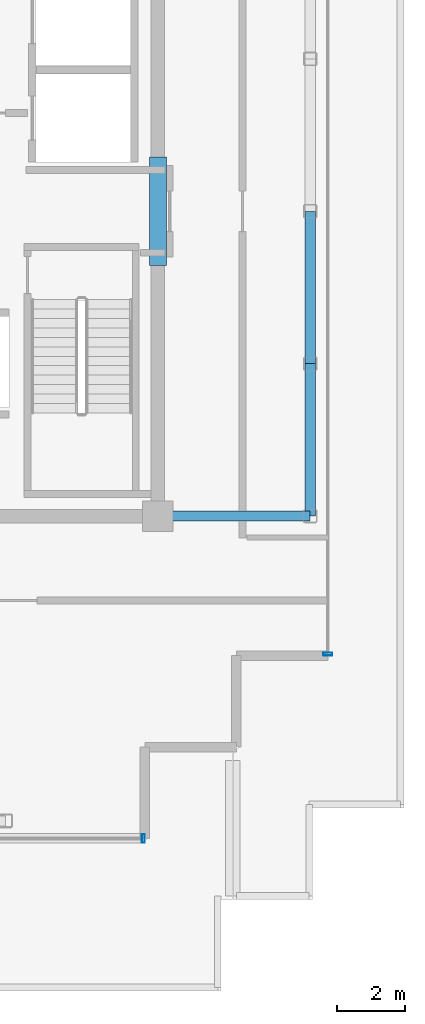
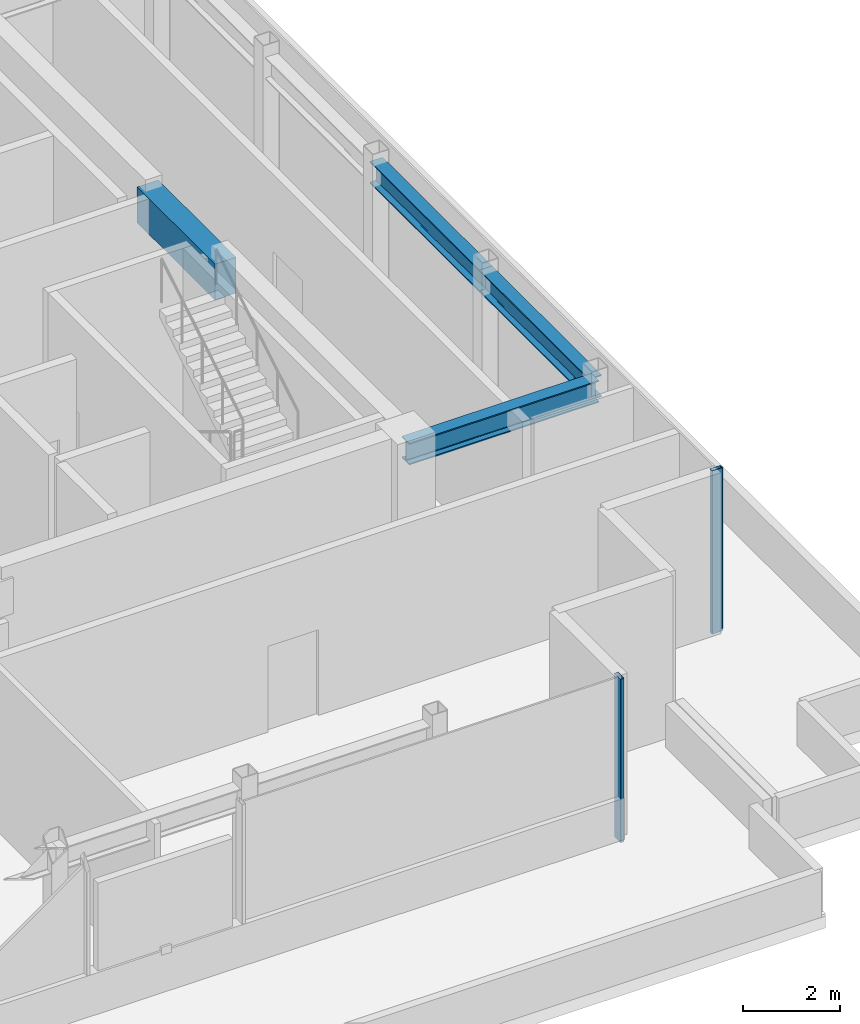
# One storey, part 4 of 14: 4 beams, 2 members, 2 elements without a shape of their own.
"""IFC4 building model written with IfcOpenShell, lengths in metres."""

from ifc_helpers import new_model, si_unit, direction, frame, origin, origin_2d, place, context, subcontext, project, spatial, rectangle, hollow_rectangle, i_section, extrude, source, transform, mapped, material, layer, layer_set, material_profile, profile_set, type_object, element, aggregate, save


model = new_model("IFC4")

# Units and contexts
model_context = context("Model", 3, precision=1e-05, world=origin(), true_north=direction((0.0, 1.0)))
body_context = subcontext(model_context, "Body", "Model", "MODEL_VIEW")
ifc_project = project(units=[si_unit("LENGTHUNIT", "METRE"), si_unit("AREAUNIT", "SQUARE_METRE"), si_unit("VOLUMEUNIT", "CUBIC_METRE"), si_unit("PLANEANGLEUNIT", "RADIAN"), si_unit("MASSUNIT", "GRAM", prefix="KILO")], contexts=[model_context])

# Site, building, storey
site_placement = place(None, origin())
site = spatial("IfcSite", under=ifc_project, at=site_placement, CompositionType="ELEMENT")
building_placement = place(site_placement, origin())
building = spatial("IfcBuilding", under=site, at=building_placement, Name="Nefas-Gora Pilgrimage Tower", CompositionType="ELEMENT")
storey_placement = place(building_placement, frame((0.0, 0.0, 358.60009765625)))
storey = spatial("IfcBuildingStorey", under=building, at=storey_placement, Name="L90", CompositionType="ELEMENT", Elevation=358.60009765625)

# Beams
ifc_material_1 = material(Name="Concrete C50/60", Category="concrete")
ifc_material_profile_1 = material_profile(ifc_material_1, rectangle(XDim=0.5, YDim=0.89990234375, at=origin_2d()), Name="RC 500x900")
ifc_profile_set_1 = profile_set([ifc_material_profile_1], Name="Concrete C50/60")
beam_type_1 = type_object("IfcBeamType", Name="BM-LIN-RC900", PredefinedType="LINTEL", material=ifc_profile_set_1)
shared_shape_1 = source(origin(), body_context, "Body", "SweptSolid", [
    extrude(rectangle(XDim=0.5, YDim=0.89990234375, at=origin_2d()), origin(), (0.0, 0.0, 1.0), 3.2001953125),
])
beam_1_placement = place(storey_placement, frame((11.25, -1.60009765625, 3.64990234375), z_axis=(0.0, 1.0, 0.0), x_axis=(-1.0, 0.0, 0.0)))
element("IfcBeam", 1, at=beam_1_placement, inside=storey, type_object=beam_type_1, Name="L90 Core Coupling Lintel Beam E", PredefinedType="LINTEL", context=body_context, shape_type="MappedRepresentation", body=[
    mapped(shared_shape_1, transform((0.0, 0.0, 0.0), x_axis=(1.0, 0.0, 0.0), y_axis=(0.0, 1.0, 0.0), z_axis=(0.0, 0.0, 1.0), scale=1.0)),
])
ifc_material_2 = material(Name="Steel S355", Category="steel")
ifc_material_profile_2 = material_profile(ifc_material_2, i_section(OverallWidth=0.300048828125, OverallDepth=0.550048828125, WebThickness=0.014892578125, FlangeThickness=0.029052734375, FilletRadius=0.027099609375, at=origin_2d()), Name="HEB 550")
ifc_profile_set_2 = profile_set([ifc_material_profile_2], Name="Steel S355")
beam_type_2 = type_object("IfcBeamType", Name="BM-SPN-HEB400", PredefinedType="SPANDREL", material=ifc_profile_set_2)
shared_shape_2 = source(origin(), body_context, "Body", "SweptSolid", [
    extrude(i_section(OverallWidth=0.300048828125, OverallDepth=0.550048828125, WebThickness=0.014892578125, FlangeThickness=0.029052734375, FilletRadius=0.027099609375, at=origin_2d()), origin(), (0.0, 0.0, 1.0), 4.5),
])
for number, where, z_axis, x_axis, name in (
    (2, (15.75, -9.0, 3.824951171875), (0.0, 1.0, 0.0), (-1.0, 0.0, 0.0), "L90 SP-04 beam"),
    (3, (15.75, -4.5, 3.824951171875), (0.0, 1.0, 0.0), (-1.0, 0.0, 0.0), "L90 SP-04 beam"),
):
    element("IfcBeam", number, at=place(storey_placement, frame(where, z_axis=z_axis, x_axis=x_axis)), inside=storey, type_object=beam_type_2, Name=name, PredefinedType="SPANDREL", context=body_context, shape_type="MappedRepresentation", body=[
        mapped(shared_shape_2, transform((0.0, 0.0, 0.0), x_axis=(1.0, 0.0, 0.0), y_axis=(0.0, 1.0, 0.0), z_axis=(0.0, 0.0, 1.0), scale=1.0)),
    ])
ifc_material_profile_3 = material_profile(ifc_material_2, i_section(OverallWidth=0.300048828125, OverallDepth=0.550048828125, WebThickness=0.014892578125, FlangeThickness=0.029052734375, FilletRadius=0.027099609375, at=origin_2d()), Name="HEB 550")
ifc_profile_set_3 = profile_set([ifc_material_profile_3], Name="Steel S355")
beam_type_3 = type_object("IfcBeamType", Name="BM-GIR-HEB550", PredefinedType="BEAM", material=ifc_profile_set_3)
shared_shape_3 = source(origin(), body_context, "Body", "SweptSolid", [
    extrude(i_section(OverallWidth=0.300048828125, OverallDepth=0.550048828125, WebThickness=0.014892578125, FlangeThickness=0.029052734375, FilletRadius=0.027099609375, at=origin_2d()), origin(), (0.0, 0.0, 1.0), 4.5),
])
beam_2_placement = place(storey_placement, frame((11.25, -9.0, 3.824951171875), z_axis=(1.0, 0.0, 0.0), x_axis=(0.0, 1.0, 0.0)))
element("IfcBeam", 4, at=beam_2_placement, inside=storey, type_object=beam_type_3, Name="L90 G-05 beam", PredefinedType="BEAM", context=body_context, shape_type="MappedRepresentation", body=[
    mapped(shared_shape_3, transform((0.0, 0.0, 0.0), x_axis=(1.0, 0.0, 0.0), y_axis=(0.0, 1.0, 0.0), z_axis=(0.0, 0.0, 1.0), scale=1.0)),
])

# Curtain wall, member
ifc_material_3 = material(Name="Dark ceramic-fritted solar-control aluminium-glass curtain wall", Category="aluminium")
ifc_layer = layer(ifc_material_3, 0.219970703125)
ifc_layer_set = layer_set([ifc_layer], Name="Dark ceramic-fritted solar-control aluminium-glass curtain wall")
curtain_wall_type = type_object("IfcCurtainWallType", Name="CW-SYS-6", PredefinedType="NOTDEFINED", material=ifc_layer_set)
curtain_wall_1_placement = place(storey_placement, origin())
curtain_wall_1 = element("IfcCurtainWall", 5, at=curtain_wall_1_placement, inside=storey, type_object=curtain_wall_type, Name="L90 Unitised Curtain Wall CW6", PredefinedType="NOTDEFINED")
ifc_material_4 = material(Name="Anodised architectural aluminium", Category="aluminium")
ifc_material_profile_4 = material_profile(ifc_material_4, hollow_rectangle(XDim=0.090087890625, YDim=0.260009765625, WallThickness=0.006103515625, InnerFilletRadius=0.006103515625, OuterFilletRadius=0.011962890625, at=origin_2d()), Name="ALU MULLION 90x260")
ifc_profile_set_4 = profile_set([ifc_material_profile_4], Name="Anodised architectural aluminium")
member_type = type_object("IfcMemberType", Name="CWM-MUL-6", PredefinedType="MULLION", material=ifc_profile_set_4)
shared_shape_4 = source(origin(), body_context, "Body", "SweptSolid", [
    extrude(hollow_rectangle(XDim=0.090087890625, YDim=0.260009765625, WallThickness=0.006103515625, InnerFilletRadius=0.006103515625, OuterFilletRadius=0.011962890625, at=origin_2d()), origin(), (0.0, 0.0, 1.0), 4.099853515625),
])
member_1_placement = place(storey_placement, frame((10.824951171875, -18.52001953125, 0.0), z_axis=(0.0, 0.0, 1.0), x_axis=(1.0, 0.0, 0.0)))
member_1 = element("IfcMember", 6, at=member_1_placement, type_object=member_type, Name="CW6 Mullion 2", PredefinedType="MULLION", context=body_context, shape_type="MappedRepresentation", body=[
    mapped(shared_shape_4, transform((0.0, 0.0, 0.0), x_axis=(1.0, 0.0, 0.0), y_axis=(0.0, 1.0, 0.0), z_axis=(0.0, 0.0, 1.0), scale=1.0)),
])
aggregate(curtain_wall_1, [member_1])

curtain_wall_2_placement = place(storey_placement, origin())
curtain_wall_2 = element("IfcCurtainWall", 7, at=curtain_wall_2_placement, inside=storey, type_object=curtain_wall_type, Name="L90 Unitised Curtain Wall CW6", PredefinedType="NOTDEFINED")
member_2_placement = place(storey_placement, frame((16.27001953125, -13.074951171875, 0.0), z_axis=(0.0, 0.0, 1.0), x_axis=(0.0, 1.0, 0.0)))
member_2 = element("IfcMember", 8, at=member_2_placement, type_object=member_type, Name="CW6 Mullion 1", PredefinedType="MULLION", context=body_context, shape_type="MappedRepresentation", body=[
    mapped(shared_shape_4, transform((0.0, 0.0, 0.0), x_axis=(1.0, 0.0, 0.0), y_axis=(0.0, 1.0, 0.0), z_axis=(0.0, 0.0, 1.0), scale=1.0)),
])
aggregate(curtain_wall_2, [member_2])

save(model, "model.ifc")
